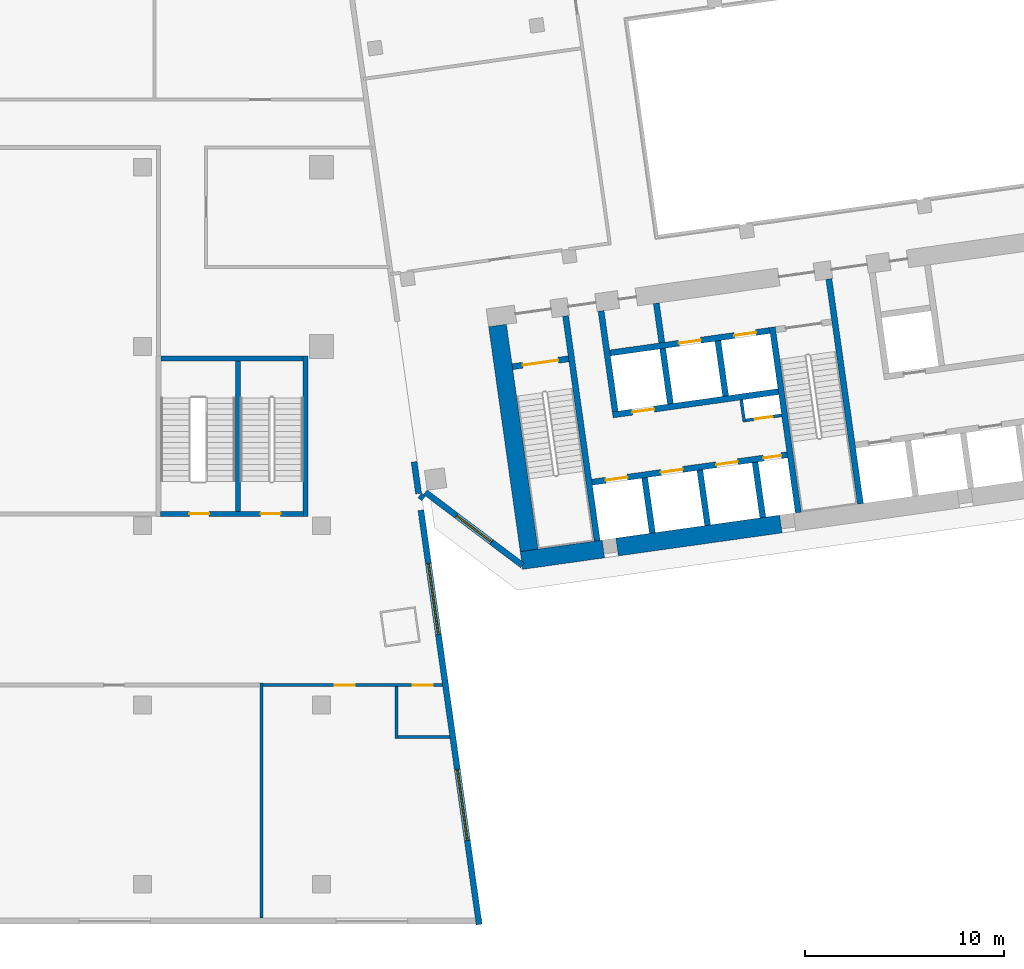
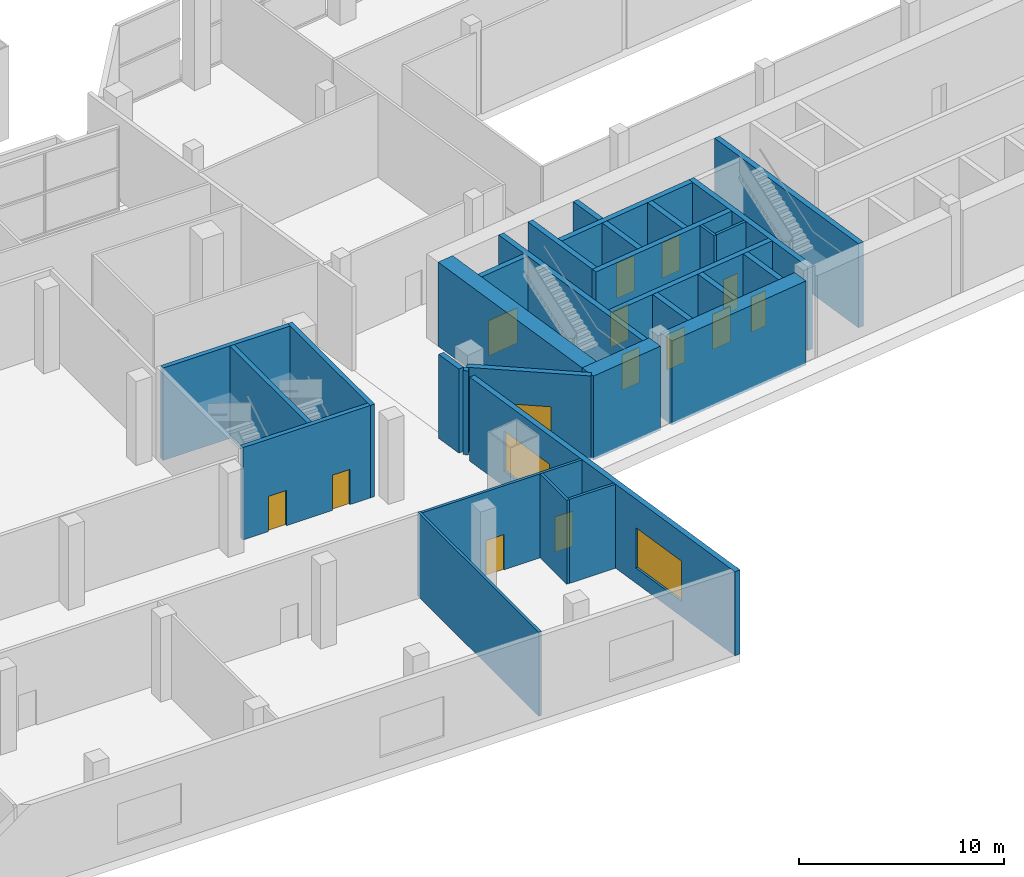
# One storey, part 15 of 23: 31 walls, 13 doors, 3 windows, 16 openings.
"""IFC4 building model written with IfcOpenShell, lengths in metres."""

from ifc_helpers import new_model, si_unit, direction, frame, frame_2d, origin, place, context, subcontext, project, spatial, rectangle, extrude, material, layer, layer_set, type_object, element, fill, save


model = new_model("IFC4")

# Units and contexts
model_context = context("Model", 3, precision=1e-05, world=origin(), true_north=direction((0.0, 1.0)))
body_context = subcontext(model_context, "Body", "Model", "MODEL_VIEW")
ifc_project = project(units=[si_unit("LENGTHUNIT", "METRE"), si_unit("AREAUNIT", "SQUARE_METRE"), si_unit("VOLUMEUNIT", "CUBIC_METRE"), si_unit("PLANEANGLEUNIT", "RADIAN"), si_unit("MASSUNIT", "GRAM", prefix="KILO")], contexts=[model_context])

# Site, building, storey
site_placement = place(None, origin())
site = spatial("IfcSite", under=ifc_project, at=site_placement, CompositionType="ELEMENT")
building_placement = place(site_placement, origin())
building = spatial("IfcBuilding", under=site, at=building_placement, Name="Mirante Cascada Hotel Towers", CompositionType="ELEMENT")
storey_placement = place(building_placement, frame((0.0, 0.0, 29.0)))
storey = spatial("IfcBuildingStorey", under=building, at=storey_placement, Name="L04", CompositionType="ELEMENT", Elevation=29.0)

# Wall
ifc_material_1 = material(Name="Masonry block", Category="masonry")
ifc_layer_1 = layer(ifc_material_1, 0.15)
ifc_layer_set_1 = layer_set([ifc_layer_1], Name="Core room partition 150 block EI 30")
wall_type_1 = type_object("IfcWallType", Name="Core room partition 150 block EI 30", PredefinedType="PARTITIONING", material=ifc_layer_set_1)
wall_1_placement = place(storey_placement, frame((48.2295, -12.793, 0.0), z_axis=(0.0, 0.0, 1.0), x_axis=(-0.1391935, 0.9902652, 0.0)))
element("IfcWall", 1, at=wall_1_placement, inside=storey, type_object=wall_type_1, Name="Core wall partition T2 L04 2", PredefinedType="PARTITIONING", context=body_context, shape_type="SweptSolid", body=[
    extrude(rectangle(XDim=1.1251, YDim=0.15, at=frame_2d((0.5626, 0.0))), origin(), (0.0, 0.0, 1.0), 5.0),
])

# Wall, opening, door
wall_2_placement = place(storey_placement, frame((48.2933, -12.7083, 0.0), z_axis=(0.0, 0.0, 1.0), x_axis=(0.990268, 0.1391734, 0.0)))
wall_2 = element("IfcWall", 2, at=wall_2_placement, inside=storey, type_object=wall_type_1, Name="Core wall partition T2 L04 3", PredefinedType="PARTITIONING", context=body_context, shape_type="SweptSolid", body=[
    extrude(rectangle(XDim=1.8251, YDim=0.15, at=frame_2d((0.9126, 0.0))), origin(), (0.0, 0.0, 1.0), 5.0),
])
opening_1_placement = place(wall_2_placement, frame((0.4625, 0.0, 0.0)))
opening_1 = element("IfcOpeningElement", 3, at=opening_1_placement, cuts=wall_2, Name="Opening D2-04-C26", PredefinedType="OPENING", context=body_context, shape_type="SweptSolid", body=[
    extrude(rectangle(XDim=0.9, YDim=2.1, at=frame_2d((0.45, 1.05))), frame((0.0, 0.075, 0.0), z_axis=(0.0, -1.0, 0.0), x_axis=(1.0, 0.0, 0.0)), (0.0, 0.0, 1.0), 0.15),
])
ifc_material_2 = material(Name="Hollow metal fire door leaf")
door_type_1 = type_object("IfcDoorType", Name="Fire door 900x2100 FD60", OperationType="NOTDEFINED", PredefinedType="DOOR", material=ifc_material_2)
door_1_placement = place(opening_1_placement, frame((0.9, 0.0, 0.0), z_axis=(0.0, 0.0, 1.0), x_axis=(-1.0, 0.0, 0.0)))
door_1 = element("IfcDoor", 4, at=door_1_placement, inside=storey, type_object=door_type_1, Name="Riser door T2 L04 26", OperationType="SINGLE_SWING_LEFT", OverallHeight=2.1, OverallWidth=0.9, PredefinedType="DOOR", context=body_context, shape_type="SweptSolid", body=[
    extrude(rectangle(XDim=0.9, YDim=2.1, at=frame_2d((0.45, 1.05))), frame((0.0, 0.025, 0.0), z_axis=(0.0, -1.0, 0.0), x_axis=(1.0, 0.0, 0.0)), (0.0, 0.0, 1.0), 0.05),
])
fill(opening_1, door_1)

# Wall
ifc_material_3 = material(Name="Masonry block", Category="masonry")
ifc_layer_2 = layer(ifc_material_3, 0.3)
ifc_layer_set_2 = layer_set([ifc_layer_2], Name="Core wall 300 block EI 120")
wall_type_2 = type_object("IfcWallType", Name="Core wall 300 block EI 120", PredefinedType="PARTITIONING", material=ifc_layer_set_2)
wall_3_placement = place(storey_placement, frame((44.0843, -8.8061, 0.0), z_axis=(0.0, 0.0, 1.0), x_axis=(-0.1391951, 0.990265, 0.0)))
element("IfcWall", 5, at=wall_3_placement, inside=storey, type_object=wall_type_2, Name="Core wall partition T2 L04 1", PredefinedType="PARTITIONING", context=body_context, shape_type="SweptSolid", body=[
    extrude(rectangle(XDim=2.0001, YDim=0.3, at=frame_2d((1.0001, 0.0))), origin(), (0.0, 0.0, 1.0), 5.0),
])

# Wall, opening, window
ifc_material_4 = material(Name="Precast concrete C40/50", Category="concrete")
ifc_layer_3 = layer(ifc_material_4, 0.3)
ifc_layer_set_3 = layer_set([ifc_layer_3], Name="Precast concrete C40/50 cladding wall 300")
wall_type_3 = type_object("IfcWallType", Name="Precast concrete C40/50 cladding wall 300", PredefinedType="STANDARD", material=ifc_layer_set_3)
wall_4_placement = place(storey_placement, frame((32.2074, -16.3138, 0.0), z_axis=(0.0, 0.0, 1.0), x_axis=(0.7986362, -0.6018141, 0.0)))
wall_4 = element("IfcWall", 6, at=wall_4_placement, inside=storey, type_object=wall_type_3, Name="Corner cladding wall T2 L04 inner rear", PredefinedType="STANDARD", context=body_context, shape_type="SweptSolid", body=[
    extrude(rectangle(XDim=6.1157, YDim=0.3, at=frame_2d((3.0578, 0.0))), origin(), (0.0, 0.0, 1.0), 5.0),
])
opening_2_placement = place(wall_4_placement, frame((1.9578, 0.0, 0.6)))
opening_2 = element("IfcOpeningElement", 7, at=opening_2_placement, cuts=wall_4, Name="Opening W2-04-05", PredefinedType="OPENING", context=body_context, shape_type="SweptSolid", body=[
    extrude(rectangle(XDim=2.2, YDim=2.4, at=frame_2d((1.1, 1.2))), frame((0.0, 0.15, 0.0), z_axis=(0.0, -1.0, 0.0), x_axis=(1.0, 0.0, 0.0)), (0.0, 0.0, 1.0), 0.3),
])
ifc_material_5 = material(Name="Aluminium frame with clear double glazing", Category="aluminium")
window_type_1 = type_object("IfcWindowType", Name="Corner suite window 2200x2400", PartitioningType="DOUBLE_PANEL_VERTICAL", PredefinedType="WINDOW", material=ifc_material_5)
window_1_placement = place(opening_2_placement, origin())
window_1 = element("IfcWindow", 8, at=window_1_placement, inside=storey, type_object=window_type_1, Name="Window W2-04-05", OverallHeight=2.4, OverallWidth=2.2, PartitioningType="SINGLE_PANEL", PredefinedType="WINDOW", context=body_context, shape_type="SweptSolid", body=[
    extrude(rectangle(XDim=2.2, YDim=2.4, at=frame_2d((1.1, 1.2))), frame((0.0, 0.03, 0.0), z_axis=(0.0, -1.0, 0.0), x_axis=(1.0, 0.0, 0.0)), (0.0, 0.0, 1.0), 0.06),
])
fill(opening_2, window_1)

# Wall, openings, windows
wall_5_placement = place(storey_placement, frame((34.911, -38.0209, 0.0), z_axis=(0.0, 0.0, 1.0), x_axis=(-0.1391749, 0.9902678, 0.0)))
wall_5 = element("IfcWall", 9, at=wall_5_placement, inside=storey, type_object=wall_type_3, Name="Podium cladding wall L04 P:L04:2", PredefinedType="STANDARD", context=body_context, shape_type="SweptSolid", body=[
    extrude(rectangle(XDim=21.0052, YDim=0.3, at=frame_2d((10.5026, 0.0))), origin(), (0.0, 0.0, 1.0), 5.0),
])
opening_3_placement = place(wall_5_placement, frame((4.259, 0.0, 0.9)))
opening_3 = element("IfcOpeningElement", 10, at=opening_3_placement, cuts=wall_5, Name="Opening WP-04-06", PredefinedType="OPENING", context=body_context, shape_type="SweptSolid", body=[
    extrude(rectangle(XDim=3.6, YDim=2.4, at=frame_2d((1.8, 1.2))), frame((0.0, 0.15, 0.0), z_axis=(0.0, -1.0, 0.0), x_axis=(1.0, 0.0, 0.0)), (0.0, 0.0, 1.0), 0.3),
])
opening_4_placement = place(wall_5_placement, frame((14.7059, 0.0, 0.9)))
opening_4 = element("IfcOpeningElement", 11, at=opening_4_placement, cuts=wall_5, Name="Opening WP-04-07", PredefinedType="OPENING", context=body_context, shape_type="SweptSolid", body=[
    extrude(rectangle(XDim=3.6, YDim=2.4, at=frame_2d((1.8, 1.2))), frame((0.0, 0.15, 0.0), z_axis=(0.0, -1.0, 0.0), x_axis=(1.0, 0.0, 0.0)), (0.0, 0.0, 1.0), 0.3),
])
ifc_material_6 = material(Name="Aluminium frame with clear double glazing", Category="aluminium")
window_type_2 = type_object("IfcWindowType", Name="Podium punched window 3600x2400", PartitioningType="DOUBLE_PANEL_VERTICAL", PredefinedType="WINDOW", material=ifc_material_6)
window_2_placement = place(opening_3_placement, origin())
window_2 = element("IfcWindow", 12, at=window_2_placement, inside=storey, type_object=window_type_2, Name="Window WP-04-06", OverallHeight=2.4, OverallWidth=3.6, PartitioningType="SINGLE_PANEL", PredefinedType="WINDOW", context=body_context, shape_type="SweptSolid", body=[
    extrude(rectangle(XDim=3.6, YDim=2.4, at=frame_2d((1.8, 1.2))), frame((0.0, 0.03, 0.0), z_axis=(0.0, -1.0, 0.0), x_axis=(1.0, 0.0, 0.0)), (0.0, 0.0, 1.0), 0.06),
])
fill(opening_3, window_2)
window_3_placement = place(opening_4_placement, origin())
window_3 = element("IfcWindow", 13, at=window_3_placement, inside=storey, type_object=window_type_2, Name="Window WP-04-07", OverallHeight=2.4, OverallWidth=3.6, PartitioningType="SINGLE_PANEL", PredefinedType="WINDOW", context=body_context, shape_type="SweptSolid", body=[
    extrude(rectangle(XDim=3.6, YDim=2.4, at=frame_2d((1.8, 1.2))), frame((0.0, 0.03, 0.0), z_axis=(0.0, -1.0, 0.0), x_axis=(1.0, 0.0, 0.0)), (0.0, 0.0, 1.0), 0.06),
])
fill(opening_4, window_3)

# Walls
wall_6_placement = place(storey_placement, frame((32.1307, -16.6316, 0.0), z_axis=(0.0, 0.0, 1.0), x_axis=(-0.7987707, 0.6016356, 0.0)))
element("IfcWall", 14, at=wall_6_placement, inside=storey, type_object=wall_type_3, Name="Corner closure wall L04 3.1", PredefinedType="STANDARD", context=body_context, shape_type="SweptSolid", body=[
    extrude(rectangle(XDim=0.2541, YDim=0.3, at=frame_2d((0.127, 0.0))), origin(), (0.0, 0.0, 1.0), 5.0),
])
wall_7_placement = place(storey_placement, frame((31.8695, -16.3798, 0.0), z_axis=(0.0, 0.0, 1.0), x_axis=(-0.1392118, 0.9902626, 0.0)))
element("IfcWall", 15, at=wall_7_placement, inside=storey, type_object=wall_type_3, Name="Corner closure wall L04 3.2", PredefinedType="STANDARD", context=body_context, shape_type="SweptSolid", body=[
    extrude(rectangle(XDim=1.6033, YDim=0.3, at=frame_2d((0.8016, 0.0))), origin(), (0.0, 0.0, 1.0), 5.0),
])
ifc_material_7 = material(Name="Concrete C50/60", Category="concrete")
ifc_layer_4 = layer(ifc_material_7, 0.3)
ifc_layer_set_4 = layer_set([ifc_layer_4], Name="RC core wall 300 C50/60")
wall_type_4 = type_object("IfcWallType", Name="RC core wall 300 C50/60", PredefinedType="SHEAR", material=ifc_layer_set_4)
wall_8_placement = place(storey_placement, frame((40.8373, -18.7548, 0.0), z_axis=(0.0, 0.0, 1.0), x_axis=(-0.1391749, 0.9902678, 0.0)))
element("IfcWall", 16, at=wall_8_placement, inside=storey, type_object=wall_type_4, Name="Core wall T2:L04:5", PredefinedType="SHEAR", context=body_context, shape_type="SweptSolid", body=[
    extrude(rectangle(XDim=11.4, YDim=0.3, at=frame_2d((5.7, 0.0))), origin(), (0.0, 0.0, 1.0), 5.0),
])
wall_9_placement = place(storey_placement, frame((50.938, -17.3352, 0.0), z_axis=(0.0, 0.0, 1.0), x_axis=(-0.1391706, 0.9902684, 0.0)))
element("IfcWall", 17, at=wall_9_placement, inside=storey, type_object=wall_type_4, Name="Core wall T2:L04:6", PredefinedType="SHEAR", context=body_context, shape_type="SweptSolid", body=[
    extrude(rectangle(XDim=9.4, YDim=0.3, at=frame_2d((4.7, 0.0))), origin(), (0.0, 0.0, 1.0), 5.0),
])
wall_10_placement = place(storey_placement, frame((54.0574, -16.8968, 0.0), z_axis=(0.0, 0.0, 1.0), x_axis=(-0.1391761, 0.9902677, 0.0)))
element("IfcWall", 18, at=wall_10_placement, inside=storey, type_object=wall_type_4, Name="Core wall T2:L04:7", PredefinedType="SHEAR", context=body_context, shape_type="SweptSolid", body=[
    extrude(rectangle(XDim=11.3999, YDim=0.3, at=frame_2d((5.7, 0.0))), origin(), (0.0, 0.0, 1.0), 5.0),
])

# Wall, opening, door
wall_11_placement = place(storey_placement, frame((36.5791, -10.0123, 0.0), z_axis=(0.0, 0.0, 1.0), x_axis=(0.9902704, 0.1391564, 0.0)))
wall_11 = element("IfcWall", 19, at=wall_11_placement, inside=storey, type_object=wall_type_4, Name="Core wall T2:L04:9", PredefinedType="SHEAR", context=body_context, shape_type="SweptSolid", body=[
    extrude(rectangle(XDim=2.85, YDim=0.3, at=frame_2d((1.425, 0.0))), origin(), (0.0, 0.0, 1.0), 5.0),
])
opening_5_placement = place(wall_11_placement, frame((0.525, 0.0, 0.0)))
opening_5 = element("IfcOpeningElement", 20, at=opening_5_placement, cuts=wall_11, Name="Opening D2-04-C16", PredefinedType="OPENING", context=body_context, shape_type="SweptSolid", body=[
    extrude(rectangle(XDim=1.8, YDim=2.1, at=frame_2d((0.9, 1.05))), frame((0.0, 0.15, 0.0), z_axis=(0.0, -1.0, 0.0), x_axis=(1.0, 0.0, 0.0)), (0.0, 0.0, 1.0), 0.3),
])
ifc_material_8 = material(Name="Hollow metal fire door leaf")
door_type_2 = type_object("IfcDoorType", Name="Double fire door 1800x2100 FD60", OperationType="DOUBLE_DOOR_SINGLE_SWING", PredefinedType="DOOR", material=ifc_material_8)
door_2_placement = place(opening_5_placement, frame((1.8, 0.0, 0.0), z_axis=(0.0, 0.0, 1.0), x_axis=(-1.0, 0.0, 0.0)))
door_2 = element("IfcDoor", 21, at=door_2_placement, inside=storey, type_object=door_type_2, Name="Stair door T2 L04 16", OperationType="DOUBLE_DOOR_SINGLE_SWING", OverallHeight=2.1, OverallWidth=1.8, PredefinedType="DOOR", context=body_context, shape_type="SweptSolid", body=[
    extrude(rectangle(XDim=0.895, YDim=2.1, at=frame_2d((0.4475, 1.05))), frame((0.0, 0.025, 0.0), z_axis=(0.0, -1.0, 0.0), x_axis=(1.0, 0.0, 0.0)), (0.0, 0.0, 1.0), 0.05),
    extrude(rectangle(XDim=0.895, YDim=2.1, at=frame_2d((1.3525, 1.05))), frame((0.0, 0.025, 0.0), z_axis=(0.0, -1.0, 0.0), x_axis=(1.0, 0.0, 0.0)), (0.0, 0.0, 1.0), 0.05),
])
fill(opening_5, door_2)

# Wall, openings, doors
wall_12_placement = place(storey_placement, frame((40.5753, -15.8126, 0.0), z_axis=(0.0, 0.0, 1.0), x_axis=(0.9902682, 0.1391725, 0.0)))
wall_12 = element("IfcWall", 22, at=wall_12_placement, inside=storey, type_object=wall_type_4, Name="Core wall T2:L04:12", PredefinedType="SHEAR", context=body_context, shape_type="SweptSolid", body=[
    extrude(rectangle(XDim=9.8999, YDim=0.3, at=frame_2d((4.95, 0.0))), origin(), (0.0, 0.0, 1.0), 5.0),
])
opening_6_placement = place(wall_12_placement, frame((0.7, 0.0, 0.0)))
opening_6 = element("IfcOpeningElement", 23, at=opening_6_placement, cuts=wall_12, Name="Opening LD", PredefinedType="OPENING", context=body_context, shape_type="SweptSolid", body=[
    extrude(rectangle(XDim=1.1, YDim=2.1, at=frame_2d((0.55, 1.05))), frame((0.0, 0.15, 0.0), z_axis=(0.0, -1.0, 0.0), x_axis=(1.0, 0.0, 0.0)), (0.0, 0.0, 1.0), 0.3),
])
opening_7_placement = place(wall_12_placement, frame((3.5, 0.0, 0.0)))
opening_7 = element("IfcOpeningElement", 24, at=opening_7_placement, cuts=wall_12, Name="Opening LD", PredefinedType="OPENING", context=body_context, shape_type="SweptSolid", body=[
    extrude(rectangle(XDim=1.1, YDim=2.1, at=frame_2d((0.55, 1.05))), frame((0.0, 0.15, 0.0), z_axis=(0.0, -1.0, 0.0), x_axis=(1.0, 0.0, 0.0)), (0.0, 0.0, 1.0), 0.3),
])
opening_8_placement = place(wall_12_placement, frame((6.3, 0.0, 0.0)))
opening_8 = element("IfcOpeningElement", 25, at=opening_8_placement, cuts=wall_12, Name="Opening LD", PredefinedType="OPENING", context=body_context, shape_type="SweptSolid", body=[
    extrude(rectangle(XDim=1.1, YDim=2.1, at=frame_2d((0.55, 1.05))), frame((0.0, 0.15, 0.0), z_axis=(0.0, -1.0, 0.0), x_axis=(1.0, 0.0, 0.0)), (0.0, 0.0, 1.0), 0.3),
])
opening_9_placement = place(wall_12_placement, frame((8.7, 0.0, 0.0)))
opening_9 = element("IfcOpeningElement", 26, at=opening_9_placement, cuts=wall_12, Name="Opening D2-04-C25", PredefinedType="OPENING", context=body_context, shape_type="SweptSolid", body=[
    extrude(rectangle(XDim=0.9, YDim=2.1, at=frame_2d((0.45, 1.05))), frame((0.0, 0.15, 0.0), z_axis=(0.0, -1.0, 0.0), x_axis=(1.0, 0.0, 0.0)), (0.0, 0.0, 1.0), 0.3),
])
door_3_placement = place(opening_9_placement, frame((0.9, 0.0, 0.0), z_axis=(0.0, 0.0, 1.0), x_axis=(-1.0, 0.0, 0.0)))
door_3 = element("IfcDoor", 27, at=door_3_placement, inside=storey, type_object=door_type_1, Name="Riser door T2 L04 25", OperationType="SINGLE_SWING_RIGHT", OverallHeight=2.1, OverallWidth=0.9, PredefinedType="DOOR", context=body_context, shape_type="SweptSolid", body=[
    extrude(rectangle(XDim=0.9, YDim=2.1, at=frame_2d((0.45, 1.05))), frame((0.0, 0.025, 0.0), z_axis=(0.0, -1.0, 0.0), x_axis=(1.0, 0.0, 0.0)), (0.0, 0.0, 1.0), 0.05),
])
fill(opening_9, door_3)
ifc_material_9 = material(Name="Stainless steel", Category="steel")
door_type_3 = type_object("IfcDoorType", Name="Lift landing door 1100x2100 EI 120", OperationType="DOUBLE_DOOR_SLIDING", PredefinedType="DOOR", material=ifc_material_9)
door_4_placement = place(opening_6_placement, origin())
door_4 = element("IfcDoor", 28, at=door_4_placement, inside=storey, type_object=door_type_3, Name="Lift landing door HR2-1 L04", OperationType="DOUBLE_DOOR_SLIDING", OverallHeight=2.1, OverallWidth=1.1, PredefinedType="DOOR", context=body_context, shape_type="SweptSolid", body=[
    extrude(rectangle(XDim=0.545, YDim=2.1, at=frame_2d((0.2725, 1.05))), frame((0.0, 0.025, 0.0), z_axis=(0.0, -1.0, 0.0), x_axis=(1.0, 0.0, 0.0)), (0.0, 0.0, 1.0), 0.05),
    extrude(rectangle(XDim=0.545, YDim=2.1, at=frame_2d((0.8275, 1.05))), frame((0.0, 0.025, 0.0), z_axis=(0.0, -1.0, 0.0), x_axis=(1.0, 0.0, 0.0)), (0.0, 0.0, 1.0), 0.05),
])
fill(opening_6, door_4)
door_5_placement = place(opening_7_placement, origin())
door_5 = element("IfcDoor", 29, at=door_5_placement, inside=storey, type_object=door_type_3, Name="Lift landing door HR2-2 L04", OperationType="DOUBLE_DOOR_SLIDING", OverallHeight=2.1, OverallWidth=1.1, PredefinedType="DOOR", context=body_context, shape_type="SweptSolid", body=[
    extrude(rectangle(XDim=0.545, YDim=2.1, at=frame_2d((0.2725, 1.05))), frame((0.0, 0.025, 0.0), z_axis=(0.0, -1.0, 0.0), x_axis=(1.0, 0.0, 0.0)), (0.0, 0.0, 1.0), 0.05),
    extrude(rectangle(XDim=0.545, YDim=2.1, at=frame_2d((0.8275, 1.05))), frame((0.0, 0.025, 0.0), z_axis=(0.0, -1.0, 0.0), x_axis=(1.0, 0.0, 0.0)), (0.0, 0.0, 1.0), 0.05),
])
fill(opening_7, door_5)
door_6_placement = place(opening_8_placement, origin())
door_6 = element("IfcDoor", 30, at=door_6_placement, inside=storey, type_object=door_type_3, Name="Lift landing door HR2-3 L04", OperationType="DOUBLE_DOOR_SLIDING", OverallHeight=2.1, OverallWidth=1.1, PredefinedType="DOOR", context=body_context, shape_type="SweptSolid", body=[
    extrude(rectangle(XDim=0.545, YDim=2.1, at=frame_2d((0.2725, 1.05))), frame((0.0, 0.025, 0.0), z_axis=(0.0, -1.0, 0.0), x_axis=(1.0, 0.0, 0.0)), (0.0, 0.0, 1.0), 0.05),
    extrude(rectangle(XDim=0.545, YDim=2.1, at=frame_2d((0.8275, 1.05))), frame((0.0, 0.025, 0.0), z_axis=(0.0, -1.0, 0.0), x_axis=(1.0, 0.0, 0.0)), (0.0, 0.0, 1.0), 0.05),
])
fill(opening_8, door_6)

# Wall, opening, door
wall_13_placement = place(storey_placement, frame((41.6153, -12.435, 0.0), z_axis=(0.0, 0.0, 1.0), x_axis=(0.9902691, 0.139166, 0.0)))
wall_13 = element("IfcWall", 31, at=wall_13_placement, inside=storey, type_object=wall_type_4, Name="Core wall T2:L04:13", PredefinedType="SHEAR", context=body_context, shape_type="SweptSolid", body=[
    extrude(rectangle(XDim=8.4, YDim=0.3, at=frame_2d((4.2, 0.0))), origin(), (0.0, 0.0, 1.0), 5.0),
])
opening_10_placement = place(wall_13_placement, frame((1.0, 0.0, 0.0)))
opening_10 = element("IfcOpeningElement", 32, at=opening_10_placement, cuts=wall_13, Name="Opening LD", PredefinedType="OPENING", context=body_context, shape_type="SweptSolid", body=[
    extrude(rectangle(XDim=1.1, YDim=2.1, at=frame_2d((0.55, 1.05))), frame((0.0, 0.15, 0.0), z_axis=(0.0, -1.0, 0.0), x_axis=(1.0, 0.0, 0.0)), (0.0, 0.0, 1.0), 0.3),
])
door_7_placement = place(opening_10_placement, origin())
door_7 = element("IfcDoor", 33, at=door_7_placement, inside=storey, type_object=door_type_3, Name="Lift landing door HR2-4 L04", OperationType="DOUBLE_DOOR_SLIDING", OverallHeight=2.1, OverallWidth=1.1, PredefinedType="DOOR", context=body_context, shape_type="SweptSolid", body=[
    extrude(rectangle(XDim=0.545, YDim=2.1, at=frame_2d((0.2725, 1.05))), frame((0.0, 0.025, 0.0), z_axis=(0.0, -1.0, 0.0), x_axis=(1.0, 0.0, 0.0)), (0.0, 0.0, 1.0), 0.05),
    extrude(rectangle(XDim=0.545, YDim=2.1, at=frame_2d((0.8275, 1.05))), frame((0.0, 0.025, 0.0), z_axis=(0.0, -1.0, 0.0), x_axis=(1.0, 0.0, 0.0)), (0.0, 0.0, 1.0), 0.05),
])
fill(opening_10, door_7)

# Wall, openings, doors
wall_14_placement = place(storey_placement, frame((41.481, -9.3234, 0.0), z_axis=(0.0, 0.0, 1.0), x_axis=(0.9902679, 0.1391741, 0.0)))
wall_14 = element("IfcWall", 34, at=wall_14_placement, inside=storey, type_object=wall_type_4, Name="Core wall T2:L04:14", PredefinedType="SHEAR", context=body_context, shape_type="SweptSolid", body=[
    extrude(rectangle(XDim=8.0999, YDim=0.3, at=frame_2d((4.05, 0.0))), origin(), (0.0, 0.0, 1.0), 5.0),
])
opening_11_placement = place(wall_14_placement, frame((3.5, 0.0, 0.0)))
opening_11 = element("IfcOpeningElement", 35, at=opening_11_placement, cuts=wall_14, Name="Opening LD", PredefinedType="OPENING", context=body_context, shape_type="SweptSolid", body=[
    extrude(rectangle(XDim=1.1, YDim=2.1, at=frame_2d((0.55, 1.05))), frame((0.0, 0.15, 0.0), z_axis=(0.0, -1.0, 0.0), x_axis=(1.0, 0.0, 0.0)), (0.0, 0.0, 1.0), 0.3),
])
opening_12_placement = place(wall_14_placement, frame((6.3, 0.0, 0.0)))
opening_12 = element("IfcOpeningElement", 36, at=opening_12_placement, cuts=wall_14, Name="Opening LD", PredefinedType="OPENING", context=body_context, shape_type="SweptSolid", body=[
    extrude(rectangle(XDim=1.1, YDim=2.1, at=frame_2d((0.55, 1.05))), frame((0.0, 0.15, 0.0), z_axis=(0.0, -1.0, 0.0), x_axis=(1.0, 0.0, 0.0)), (0.0, 0.0, 1.0), 0.3),
])
door_8_placement = place(opening_11_placement, origin())
door_8 = element("IfcDoor", 37, at=door_8_placement, inside=storey, type_object=door_type_3, Name="Lift landing door FF3 L04", OperationType="DOUBLE_DOOR_SLIDING", OverallHeight=2.1, OverallWidth=1.1, PredefinedType="DOOR", context=body_context, shape_type="SweptSolid", body=[
    extrude(rectangle(XDim=0.545, YDim=2.1, at=frame_2d((0.2725, 1.05))), frame((0.0, 0.025, 0.0), z_axis=(0.0, -1.0, 0.0), x_axis=(1.0, 0.0, 0.0)), (0.0, 0.0, 1.0), 0.05),
    extrude(rectangle(XDim=0.545, YDim=2.1, at=frame_2d((0.8275, 1.05))), frame((0.0, 0.025, 0.0), z_axis=(0.0, -1.0, 0.0), x_axis=(1.0, 0.0, 0.0)), (0.0, 0.0, 1.0), 0.05),
])
fill(opening_11, door_8)
door_9_placement = place(opening_12_placement, origin())
door_9 = element("IfcDoor", 38, at=door_9_placement, inside=storey, type_object=door_type_3, Name="Lift landing door FF4 L04", OperationType="DOUBLE_DOOR_SLIDING", OverallHeight=2.1, OverallWidth=1.1, PredefinedType="DOOR", context=body_context, shape_type="SweptSolid", body=[
    extrude(rectangle(XDim=0.545, YDim=2.1, at=frame_2d((0.2725, 1.05))), frame((0.0, 0.025, 0.0), z_axis=(0.0, -1.0, 0.0), x_axis=(1.0, 0.0, 0.0)), (0.0, 0.0, 1.0), 0.05),
    extrude(rectangle(XDim=0.545, YDim=2.1, at=frame_2d((0.8275, 1.05))), frame((0.0, 0.025, 0.0), z_axis=(0.0, -1.0, 0.0), x_axis=(1.0, 0.0, 0.0)), (0.0, 0.0, 1.0), 0.05),
])
fill(opening_12, door_9)

# Walls
wall_15_placement = place(storey_placement, frame((43.61, -18.3651, 0.0), z_axis=(0.0, 0.0, 1.0), x_axis=(-0.1391459, 0.9902719, 0.0)))
element("IfcWall", 39, at=wall_15_placement, inside=storey, type_object=wall_type_4, Name="Core wall T2:L04:15", PredefinedType="SHEAR", context=body_context, shape_type="SweptSolid", body=[
    extrude(rectangle(XDim=2.7999, YDim=0.3, at=frame_2d((1.4, 0.0))), origin(), (0.0, 0.0, 1.0), 5.0),
])
wall_16_placement = place(storey_placement, frame((46.3828, -17.9754, 0.0), z_axis=(0.0, 0.0, 1.0), x_axis=(-0.139181, 0.990267, 0.0)))
element("IfcWall", 40, at=wall_16_placement, inside=storey, type_object=wall_type_4, Name="Core wall T2:L04:16", PredefinedType="SHEAR", context=body_context, shape_type="SweptSolid", body=[
    extrude(rectangle(XDim=2.8, YDim=0.3, at=frame_2d((1.4, 0.0))), origin(), (0.0, 0.0, 1.0), 5.0),
])
wall_17_placement = place(storey_placement, frame((49.1555, -17.5857, 0.0), z_axis=(0.0, 0.0, 1.0), x_axis=(-0.1391459, 0.9902719, 0.0)))
element("IfcWall", 41, at=wall_17_placement, inside=storey, type_object=wall_type_4, Name="Core wall T2:L04:17", PredefinedType="SHEAR", context=body_context, shape_type="SweptSolid", body=[
    extrude(rectangle(XDim=2.7999, YDim=0.3, at=frame_2d((1.4, 0.0))), origin(), (0.0, 0.0, 1.0), 5.0),
])
for number, where, z_axis, x_axis, name in (
    (42, (44.5157, -11.8759, 0.0), (0.0, 0.0, 1.0), (-0.139181, 0.990267, 0.0), "Core wall T2:L04:18"),
    (43, (47.2885, -11.4862, 0.0), (0.0, 0.0, 1.0), (-0.139181, 0.990267, 0.0), "Core wall T2:L04:19"),
):
    element("IfcWall", number, at=place(storey_placement, frame(where, z_axis=z_axis, x_axis=x_axis)), inside=storey, type_object=wall_type_4, Name=name, PredefinedType="SHEAR", context=body_context, shape_type="SweptSolid", body=[
        extrude(rectangle(XDim=2.8, YDim=0.3, at=frame_2d((1.4, 0.0))), origin(), (0.0, 0.0, 1.0), 5.0),
    ])
wall_18_placement = place(storey_placement, frame((41.743, -12.2656, 0.0), z_axis=(0.0, 0.0, 1.0), x_axis=(-0.1391755, 0.9902677, 0.0)))
element("IfcWall", 44, at=wall_18_placement, inside=storey, type_object=wall_type_4, Name="Core wall T2:L04:20", PredefinedType="SHEAR", context=body_context, shape_type="SweptSolid", body=[
    extrude(rectangle(XDim=5.1, YDim=0.3, at=frame_2d((2.55, 0.0))), origin(), (0.0, 0.0, 1.0), 5.0),
])
ifc_material_10 = material(Name="Concrete C50/60", Category="concrete")
ifc_layer_5 = layer(ifc_material_10, 0.9)
ifc_layer_set_5 = layer_set([ifc_layer_5], Name="RC core wall 900 C50/60")
wall_type_5 = type_object("IfcWallType", Name="RC core wall 900 C50/60", PredefinedType="SHEAR", material=ifc_layer_set_5)
wall_19_placement = place(storey_placement, frame((37.0379, -19.7432, 0.0), z_axis=(0.0, 0.0, 1.0), x_axis=(0.990267, 0.139181, 0.0)))
element("IfcWall", 45, at=wall_19_placement, inside=storey, type_object=wall_type_5, Name="Core wall T2:L04:1.1", PredefinedType="SHEAR", context=body_context, shape_type="SweptSolid", body=[
    extrude(rectangle(XDim=4.15, YDim=0.9, at=frame_2d((2.075, 0.0))), origin(), (0.0, 0.0, 1.0), 5.0),
])
wall_20_placement = place(storey_placement, frame((41.8407, -19.0682, 0.0), z_axis=(0.0, 0.0, 1.0), x_axis=(0.9902686, 0.1391692, 0.0)))
element("IfcWall", 46, at=wall_20_placement, inside=storey, type_object=wall_type_5, Name="Core wall T2:L04:1.2", PredefinedType="SHEAR", context=body_context, shape_type="SweptSolid", body=[
    extrude(rectangle(XDim=8.3, YDim=0.9, at=frame_2d((4.15, 0.0))), origin(), (0.0, 0.0, 1.0), 5.0),
])
wall_21_placement = place(storey_placement, frame((37.4209, -19.2349, 0.0), z_axis=(0.0, 0.0, 1.0), x_axis=(-0.1391761, 0.9902677, 0.0)))
element("IfcWall", 47, at=wall_21_placement, inside=storey, type_object=wall_type_5, Name="Core wall T2:L04:3", PredefinedType="SHEAR", context=body_context, shape_type="SweptSolid", body=[
    extrude(rectangle(XDim=11.3999, YDim=0.9, at=frame_2d((5.7, 0.0))), origin(), (0.0, 0.0, 1.0), 5.0),
])

# Wall, openings, doors
ifc_material_11 = material(Name="Concrete C35/45", Category="concrete")
ifc_layer_6 = layer(ifc_material_11, 0.25)
ifc_layer_set_6 = layer_set([ifc_layer_6], Name="Stair wall 250 concrete C35/45 EI 120")
wall_type_6 = type_object("IfcWallType", Name="Stair wall 250 concrete C35/45 EI 120", PredefinedType="STANDARD", material=ifc_layer_set_6)
wall_22_placement = place(storey_placement, frame((18.915, -17.4, 0.0), z_axis=(0.0, 0.0, 1.0), x_axis=(1.0, 0.0, 0.0)))
wall_22 = element("IfcWall", 48, at=wall_22_placement, inside=storey, type_object=wall_type_6, Name="Stair wall P L04", PredefinedType="STANDARD", context=body_context, shape_type="SweptSolid", body=[
    extrude(rectangle(XDim=7.17, YDim=0.25, at=frame_2d((3.585, 0.0))), origin(), (0.0, 0.0, 1.0), 5.5),
])
opening_13_placement = place(wall_22_placement, frame((5.0275, 0.0, 0.0)))
opening_13 = element("IfcOpeningElement", 49, at=opening_13_placement, cuts=wall_22, Name="Opening DP-L04-03", PredefinedType="OPENING", context=body_context, shape_type="SweptSolid", body=[
    extrude(rectangle(XDim=1.0, YDim=2.1, at=frame_2d((0.5, 1.05))), frame((0.0, 0.125, 0.0), z_axis=(0.0, -1.0, 0.0), x_axis=(1.0, 0.0, 0.0)), (0.0, 0.0, 1.0), 0.25),
])
opening_14_placement = place(wall_22_placement, frame((1.4425, 0.0, 0.0)))
opening_14 = element("IfcOpeningElement", 50, at=opening_14_placement, cuts=wall_22, Name="Opening DP-L04-04", PredefinedType="OPENING", context=body_context, shape_type="SweptSolid", body=[
    extrude(rectangle(XDim=1.0, YDim=2.1, at=frame_2d((0.5, 1.05))), frame((0.0, 0.125, 0.0), z_axis=(0.0, -1.0, 0.0), x_axis=(1.0, 0.0, 0.0)), (0.0, 0.0, 1.0), 0.25),
])
ifc_material_12 = material(Name="Hollow metal fire door leaf")
door_type_4 = type_object("IfcDoorType", Name="Fire door 1000x2100 FD60", OperationType="NOTDEFINED", PredefinedType="DOOR", material=ifc_material_12)
door_10_placement = place(opening_13_placement, origin())
door_10 = element("IfcDoor", 51, at=door_10_placement, inside=storey, type_object=door_type_4, Name="Door DP-L04-03", OperationType="SINGLE_SWING_LEFT", OverallHeight=2.1, OverallWidth=1.0, PredefinedType="DOOR", context=body_context, shape_type="SweptSolid", body=[
    extrude(rectangle(XDim=1.0, YDim=2.1, at=frame_2d((0.5, 1.05))), frame((0.0, 0.025, 0.0), z_axis=(0.0, -1.0, 0.0), x_axis=(1.0, 0.0, 0.0)), (0.0, 0.0, 1.0), 0.05),
])
fill(opening_13, door_10)
door_11_placement = place(opening_14_placement, origin())
door_11 = element("IfcDoor", 52, at=door_11_placement, inside=storey, type_object=door_type_4, Name="Door DP-L04-04", OperationType="SINGLE_SWING_RIGHT", OverallHeight=2.1, OverallWidth=1.0, PredefinedType="DOOR", context=body_context, shape_type="SweptSolid", body=[
    extrude(rectangle(XDim=1.0, YDim=2.1, at=frame_2d((0.5, 1.05))), frame((0.0, 0.025, 0.0), z_axis=(0.0, -1.0, 0.0), x_axis=(1.0, 0.0, 0.0)), (0.0, 0.0, 1.0), 0.05),
])
fill(opening_14, door_11)

# Walls
wall_23_placement = place(storey_placement, frame((18.925, -9.6, 0.0), z_axis=(0.0, 0.0, 1.0), x_axis=(1.0, 0.0, 0.0)))
element("IfcWall", 53, at=wall_23_placement, inside=storey, type_object=wall_type_6, Name="Stair wall P L04", PredefinedType="STANDARD", context=body_context, shape_type="SweptSolid", body=[
    extrude(rectangle(XDim=7.15, YDim=0.25, at=frame_2d((3.575, 0.0))), origin(), (0.0, 0.0, 1.0), 5.5),
])
wall_24_placement = place(storey_placement, frame((26.2, -17.525, 0.0), z_axis=(0.0, 0.0, 1.0), x_axis=(0.0, 1.0, 0.0)))
element("IfcWall", 54, at=wall_24_placement, inside=storey, type_object=wall_type_6, Name="Stair wall P L04", PredefinedType="STANDARD", context=body_context, shape_type="SweptSolid", body=[
    extrude(rectangle(XDim=8.05, YDim=0.25, at=frame_2d((4.025, 0.0))), origin(), (0.0, 0.0, 1.0), 5.5),
])
wall_25_placement = place(storey_placement, frame((22.8, -17.275, 0.0), z_axis=(0.0, 0.0, 1.0), x_axis=(0.0, 1.0, 0.0)))
element("IfcWall", 55, at=wall_25_placement, inside=storey, type_object=wall_type_6, Name="Stair wall P L04", PredefinedType="STANDARD", context=body_context, shape_type="SweptSolid", body=[
    extrude(rectangle(XDim=7.55, YDim=0.25, at=frame_2d((3.775, 0.0))), origin(), (0.0, 0.0, 1.0), 5.5),
])
ifc_material_13 = material(Name="Masonry block", Category="masonry")
ifc_layer_7 = layer(ifc_material_13, 0.15)
ifc_layer_set_7 = layer_set([ifc_layer_7], Name="Wet room wall 150 block")
wall_type_7 = type_object("IfcWallType", Name="Wet room wall 150 block", PredefinedType="PARTITIONING", material=ifc_layer_set_7)
wall_26_placement = place(storey_placement, frame((30.848, -28.6, 0.0), z_axis=(0.0, 0.0, 1.0), x_axis=(1.0, 0.0, 0.0)))
element("IfcWall", 56, at=wall_26_placement, inside=storey, type_object=wall_type_7, Name="Wet room wall P L04", PredefinedType="PARTITIONING", context=body_context, shape_type="SweptSolid", body=[
    extrude(rectangle(XDim=2.5875, YDim=0.15, at=frame_2d((1.2938, 0.0))), origin(), (0.0, 0.0, 1.0), 5.0),
])

# Wall, openings, doors
wall_27_placement = place(storey_placement, frame((24.0531, -26.0, 0.0), z_axis=(0.0, 0.0, 1.0), x_axis=(1.0, 0.0, 0.0)))
wall_27 = element("IfcWall", 57, at=wall_27_placement, inside=storey, type_object=wall_type_7, Name="Wet room wall P L04", PredefinedType="PARTITIONING", context=body_context, shape_type="SweptSolid", body=[
    extrude(rectangle(XDim=9.017, YDim=0.15, at=frame_2d((4.5085, 0.0))), origin(), (0.0, 0.0, 1.0), 5.0),
])
opening_15_placement = place(wall_27_placement, frame((3.6099, 0.0, 0.0)))
opening_15 = element("IfcOpeningElement", 58, at=opening_15_placement, cuts=wall_27, Name="Opening DP-L04-13", PredefinedType="OPENING", context=body_context, shape_type="SweptSolid", body=[
    extrude(rectangle(XDim=1.0, YDim=2.1, at=frame_2d((0.5, 1.05))), frame((0.0, 0.075, 0.0), z_axis=(0.0, -1.0, 0.0), x_axis=(1.0, 0.0, 0.0)), (0.0, 0.0, 1.0), 0.15),
])
opening_16_placement = place(wall_27_placement, frame((7.5199, 0.0, 0.0)))
opening_16 = element("IfcOpeningElement", 59, at=opening_16_placement, cuts=wall_27, Name="Opening DP-L04-17", PredefinedType="OPENING", context=body_context, shape_type="SweptSolid", body=[
    extrude(rectangle(XDim=1.0, YDim=2.1, at=frame_2d((0.5, 1.05))), frame((0.0, 0.075, 0.0), z_axis=(0.0, -1.0, 0.0), x_axis=(1.0, 0.0, 0.0)), (0.0, 0.0, 1.0), 0.15),
])
ifc_material_14 = material(Name="Timber door leaf", Category="wood")
door_type_5 = type_object("IfcDoorType", Name="Single door 1000x2100", OperationType="NOTDEFINED", PredefinedType="DOOR", material=ifc_material_14)
door_12_placement = place(opening_15_placement, frame((1.0, 0.0, 0.0), z_axis=(0.0, 0.0, 1.0), x_axis=(-1.0, 0.0, 0.0)))
door_12 = element("IfcDoor", 60, at=door_12_placement, inside=storey, type_object=door_type_5, Name="Door DP-L04-13", OperationType="SINGLE_SWING_LEFT", OverallHeight=2.1, OverallWidth=1.0, PredefinedType="DOOR", context=body_context, shape_type="SweptSolid", body=[
    extrude(rectangle(XDim=1.0, YDim=2.1, at=frame_2d((0.5, 1.05))), frame((0.0, 0.025, 0.0), z_axis=(0.0, -1.0, 0.0), x_axis=(1.0, 0.0, 0.0)), (0.0, 0.0, 1.0), 0.05),
])
fill(opening_15, door_12)
door_13_placement = place(opening_16_placement, frame((1.0, 0.0, 0.0), z_axis=(0.0, 0.0, 1.0), x_axis=(-1.0, 0.0, 0.0)))
door_13 = element("IfcDoor", 61, at=door_13_placement, inside=storey, type_object=door_type_5, Name="Door DP-L04-17", OperationType="SINGLE_SWING_LEFT", OverallHeight=2.1, OverallWidth=1.0, PredefinedType="DOOR", context=body_context, shape_type="SweptSolid", body=[
    extrude(rectangle(XDim=1.0, YDim=2.1, at=frame_2d((0.5, 1.05))), frame((0.0, 0.025, 0.0), z_axis=(0.0, -1.0, 0.0), x_axis=(1.0, 0.0, 0.0)), (0.0, 0.0, 1.0), 0.05),
])
fill(opening_16, door_13)

# Walls
wall_28_placement = place(storey_placement, frame((30.773, -28.675, 0.0), z_axis=(0.0, 0.0, 1.0), x_axis=(0.0, 1.0, 0.0)))
element("IfcWall", 62, at=wall_28_placement, inside=storey, type_object=wall_type_7, Name="Wet room wall P L04", PredefinedType="PARTITIONING", context=body_context, shape_type="SweptSolid", body=[
    extrude(rectangle(XDim=2.6, YDim=0.15, at=frame_2d((1.3, 0.0))), origin(), (0.0, 0.0, 1.0), 5.0),
])
wall_29_placement = place(storey_placement, frame((23.9881, -37.7, 0.0), z_axis=(0.0, 0.0, 1.0), x_axis=(0.0, 1.0, 0.0)))
element("IfcWall", 63, at=wall_29_placement, inside=storey, type_object=wall_type_7, Name="Wet room wall P L04", PredefinedType="PARTITIONING", context=body_context, shape_type="SweptSolid", body=[
    extrude(rectangle(XDim=11.8, YDim=0.15, at=frame_2d((5.9, 0.0))), origin(), (0.0, 0.0, 1.0), 5.0),
])

save(model, "model.ifc")
